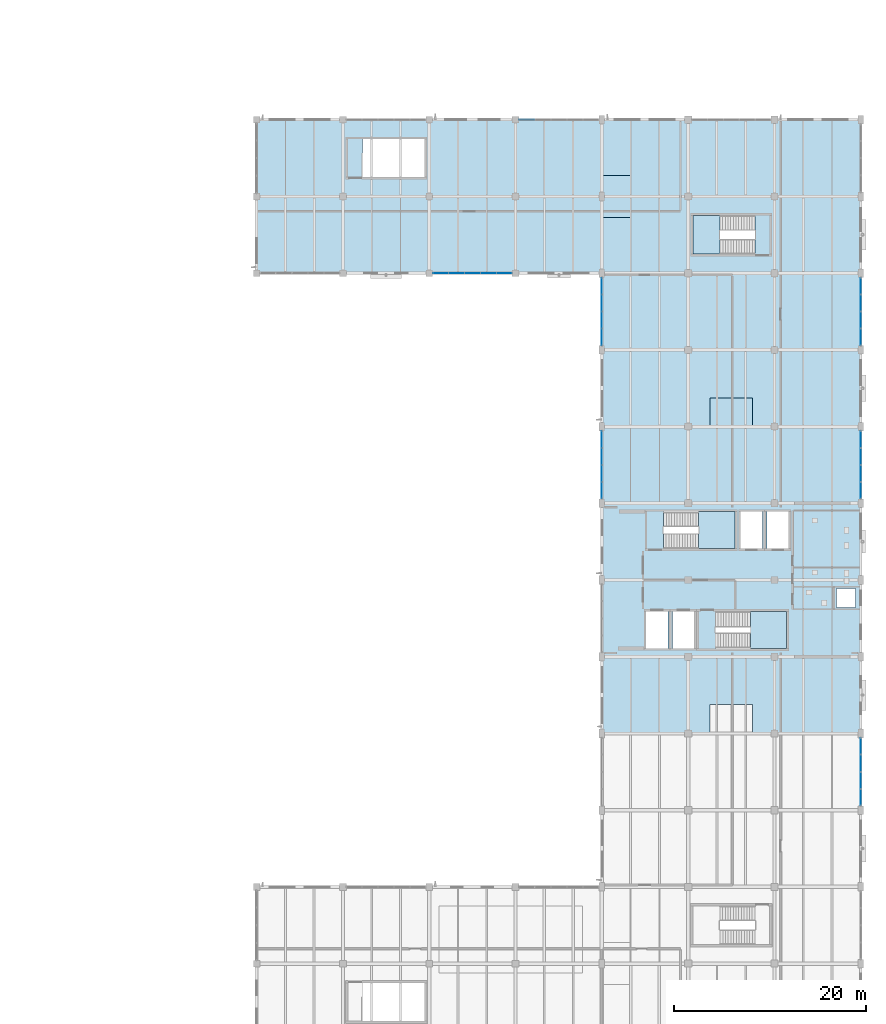
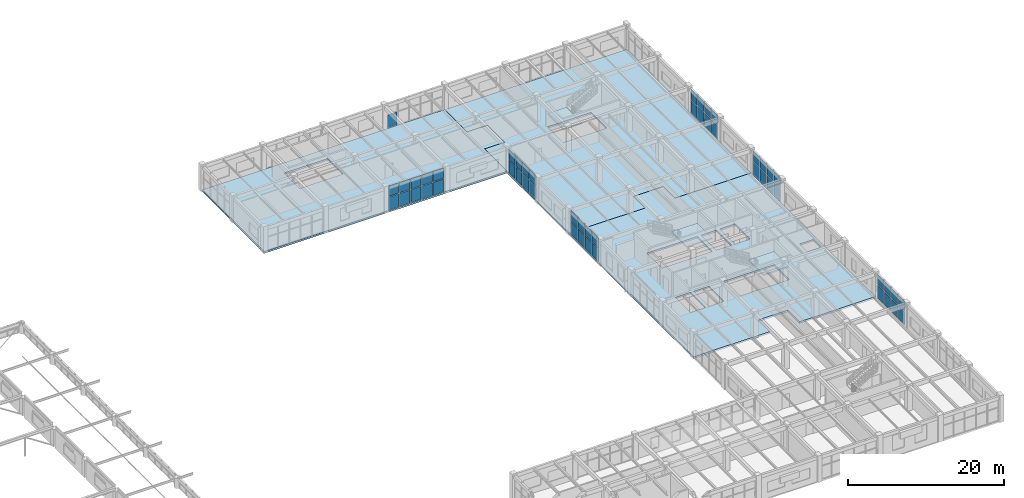
# One storey, part 106 of 128: 51 plates, 6 slabs, 10 elements without a shape of their own.
"""IFC4 building model written with IfcOpenShell, lengths in metres."""

from ifc_helpers import new_model, si_unit, derived_unit, direction, frame, origin, origin_2d, place, context, subcontext, project, spatial, polyline, rectangle, outline, extrude, material, layer, layer_set, type_object, element, aggregate, save


model = new_model("IFC4")

# Units and contexts
model_context = context("Model", 3, precision=1e-05, world=origin(), true_north=direction((0.0, 1.0)))
body_context = subcontext(model_context, "Body", "Model", "MODEL_VIEW")
ifc_project = project(units=[si_unit("LENGTHUNIT", "METRE"), si_unit("AREAUNIT", "SQUARE_METRE"), si_unit("VOLUMEUNIT", "CUBIC_METRE"), si_unit("PLANEANGLEUNIT", "RADIAN"), si_unit("MASSUNIT", "GRAM", prefix="KILO"), derived_unit("THERMALTRANSMITTANCEUNIT", [(si_unit("MASSUNIT", "GRAM", prefix="KILO"), 1), (si_unit("TIMEUNIT", "SECOND"), -3), (si_unit("THERMODYNAMICTEMPERATUREUNIT", "KELVIN"), -1)])], contexts=[model_context])

# Site, building, storey
site_placement = place(None, origin())
site = spatial("IfcSite", under=ifc_project, at=site_placement, CompositionType="ELEMENT")
building_placement = place(site_placement, origin())
building = spatial("IfcBuilding", under=site, at=building_placement, Name="Zhenchuan Archway Interchange", CompositionType="ELEMENT")
storey_placement = place(building_placement, frame((0.0, 0.0, 14.39990234375)))
storey = spatial("IfcBuildingStorey", under=building, at=storey_placement, Name="L03", CompositionType="ELEMENT", Elevation=14.39990234375)

# Curtain wall, plates
ifc_material_1 = material(Name="Anodised Aluminium", Category="aluminium")
curtain_wall_type_1 = type_object("IfcCurtainWallType", Name="CW_UNIT_1", PredefinedType="NOTDEFINED", material=ifc_material_1)
curtain_wall_1_placement = place(storey_placement, origin())
curtain_wall_1 = element("IfcCurtainWall", 1, at=curtain_wall_1_placement, inside=storey, type_object=curtain_wall_type_1, Name="Unitised curtain wall CW:L03:172", PredefinedType="NOTDEFINED")
ifc_material_2 = material(Name="Double Low-E Insulated Glazing", Category="glass")
ifc_layer_1 = layer(ifc_material_2, 0.028076171875)
ifc_layer_set_1 = layer_set([ifc_layer_1], Name="Double Low-E Insulated Glazing")
plate_type_1 = type_object("IfcPlateType", Name="CW_GLZ_1", PredefinedType="CURTAIN_PANEL", material=ifc_layer_set_1)
plate_1_placement = place(storey_placement, frame((133.835693359375, 88.0, 0.080078125), z_axis=(0.0, 0.0, 1.0), x_axis=(-1.0, 0.0, 0.0)))
plate_1 = element("IfcPlate", 2, at=plate_1_placement, type_object=plate_type_1, Name="CW:L03:172 lower glazing panel 0", PredefinedType="CURTAIN_PANEL", context=body_context, shape_type="SweptSolid", body=[
    extrude(rectangle(XDim=1.5126953125, YDim=0.028076171875, at=origin_2d()), origin(), (0.0, 0.0, 1.0), 2.01611328125),
])
plate_2_placement = place(storey_placement, frame((132.1728515625, 88.0, 0.080078125), z_axis=(0.0, 0.0, 1.0), x_axis=(-1.0, 0.0, 0.0)))
plate_2 = element("IfcPlate", 3, at=plate_2_placement, type_object=plate_type_1, Name="CW:L03:172 lower glazing panel 1", PredefinedType="CURTAIN_PANEL", context=body_context, shape_type="SweptSolid", body=[
    extrude(rectangle(XDim=1.53271484375, YDim=0.028076171875, at=origin_2d()), origin(), (0.0, 0.0, 1.0), 2.01611328125),
])
plate_3_placement = place(storey_placement, frame((130.5, 88.0, 0.080078125), z_axis=(0.0, 0.0, 1.0), x_axis=(-1.0, 0.0, 0.0)))
plate_3 = element("IfcPlate", 4, at=plate_3_placement, type_object=plate_type_1, Name="CW:L03:172 lower glazing panel 2", PredefinedType="CURTAIN_PANEL", context=body_context, shape_type="SweptSolid", body=[
    extrude(rectangle(XDim=1.53271484375, YDim=0.028076171875, at=origin_2d()), origin(), (0.0, 0.0, 1.0), 2.01611328125),
])
plate_4_placement = place(storey_placement, frame((128.8271484375, 88.0, 0.080078125), z_axis=(0.0, 0.0, 1.0), x_axis=(-1.0, 0.0, 0.0)))
plate_4 = element("IfcPlate", 5, at=plate_4_placement, type_object=plate_type_1, Name="CW:L03:172 lower glazing panel 3", PredefinedType="CURTAIN_PANEL", context=body_context, shape_type="SweptSolid", body=[
    extrude(rectangle(XDim=1.53271484375, YDim=0.028076171875, at=origin_2d()), origin(), (0.0, 0.0, 1.0), 2.01611328125),
])
plate_5_placement = place(storey_placement, frame((127.164306640625, 88.0, 0.080078125), z_axis=(0.0, 0.0, 1.0), x_axis=(-1.0, 0.0, 0.0)))
plate_5 = element("IfcPlate", 6, at=plate_5_placement, type_object=plate_type_1, Name="CW:L03:172 lower glazing panel 4", PredefinedType="CURTAIN_PANEL", context=body_context, shape_type="SweptSolid", body=[
    extrude(rectangle(XDim=1.5126953125, YDim=0.028076171875, at=origin_2d()), origin(), (0.0, 0.0, 1.0), 2.01611328125),
])

# Curtain wall, plate
curtain_wall_2_placement = place(storey_placement, origin())
curtain_wall_2 = element("IfcCurtainWall", 7, at=curtain_wall_2_placement, inside=storey, type_object=curtain_wall_type_1, Name="Unitised curtain wall CW:L03:176", PredefinedType="NOTDEFINED")
plate_6_placement = place(storey_placement, frame((136.16943359375, 104.0, 0.080078125), z_axis=(0.0, 0.0, 1.0), x_axis=(1.0, 0.0, 0.0)))
plate_6 = element("IfcPlate", 8, at=plate_6_placement, type_object=plate_type_1, Name="CW:L03:176 lower glazing panel 0", PredefinedType="CURTAIN_PANEL", context=body_context, shape_type="SweptSolid", body=[
    extrude(rectangle(XDim=1.522705078125, YDim=0.028076171875, at=origin_2d()), origin(), (0.0, 0.0, 1.0), 2.01611328125),
])
aggregate(curtain_wall_2, [plate_6])

# Plate
ifc_layer_2 = layer(ifc_material_2, 0.02587890625)
ifc_layer_set_2 = layer_set([ifc_layer_2], Name="Double Low-E Insulated Glazing")
plate_type_2 = type_object("IfcPlateType", Name="CW_GLZ_2", PredefinedType="CURTAIN_PANEL", material=ifc_layer_set_2)
plate_7_placement = place(storey_placement, frame((133.835693359375, 88.0, 2.216064453125), z_axis=(0.0, 0.0, 1.0), x_axis=(-1.0, 0.0, 0.0)))
plate_7 = element("IfcPlate", 9, at=plate_7_placement, type_object=plate_type_2, Name="CW:L03:172 upper glazing panel 0", PredefinedType="CURTAIN_PANEL", context=body_context, shape_type="SweptSolid", body=[
    extrude(rectangle(XDim=1.5126953125, YDim=0.02587890625, at=origin_2d()), origin(), (0.0, 0.0, 1.0), 1.6240234375),
])

plate_8_placement = place(storey_placement, frame((132.1728515625, 88.0, 2.216064453125), z_axis=(0.0, 0.0, 1.0), x_axis=(-1.0, 0.0, 0.0)))
plate_8 = element("IfcPlate", 10, at=plate_8_placement, type_object=plate_type_2, Name="CW:L03:172 upper glazing panel 1", PredefinedType="CURTAIN_PANEL", context=body_context, shape_type="SweptSolid", body=[
    extrude(rectangle(XDim=1.53271484375, YDim=0.02587890625, at=origin_2d()), origin(), (0.0, 0.0, 1.0), 1.6240234375),
])

plate_9_placement = place(storey_placement, frame((130.5, 88.0, 2.216064453125), z_axis=(0.0, 0.0, 1.0), x_axis=(-1.0, 0.0, 0.0)))
plate_9 = element("IfcPlate", 11, at=plate_9_placement, type_object=plate_type_2, Name="CW:L03:172 upper glazing panel 2", PredefinedType="CURTAIN_PANEL", context=body_context, shape_type="SweptSolid", body=[
    extrude(rectangle(XDim=1.53271484375, YDim=0.02587890625, at=origin_2d()), origin(), (0.0, 0.0, 1.0), 1.6240234375),
])

plate_10_placement = place(storey_placement, frame((128.8271484375, 88.0, 2.216064453125), z_axis=(0.0, 0.0, 1.0), x_axis=(-1.0, 0.0, 0.0)))
plate_10 = element("IfcPlate", 12, at=plate_10_placement, type_object=plate_type_2, Name="CW:L03:172 upper glazing panel 3", PredefinedType="CURTAIN_PANEL", context=body_context, shape_type="SweptSolid", body=[
    extrude(rectangle(XDim=1.53271484375, YDim=0.02587890625, at=origin_2d()), origin(), (0.0, 0.0, 1.0), 1.6240234375),
])

plate_11_placement = place(storey_placement, frame((127.164306640625, 88.0, 2.216064453125), z_axis=(0.0, 0.0, 1.0), x_axis=(-1.0, 0.0, 0.0)))
plate_11 = element("IfcPlate", 13, at=plate_11_placement, type_object=plate_type_2, Name="CW:L03:172 upper glazing panel 4", PredefinedType="CURTAIN_PANEL", context=body_context, shape_type="SweptSolid", body=[
    extrude(rectangle(XDim=1.5126953125, YDim=0.02587890625, at=origin_2d()), origin(), (0.0, 0.0, 1.0), 1.6240234375),
])

aggregate(curtain_wall_1, [plate_1, plate_7, plate_2, plate_8, plate_3, plate_9, plate_4, plate_10, plate_5, plate_11])

# Curtain wall, plates
curtain_wall_type_2 = type_object("IfcCurtainWallType", Name="CW_UNIT_3", PredefinedType="NOTDEFINED", material=ifc_material_1)
curtain_wall_3_placement = place(storey_placement, origin())
curtain_wall_3 = element("IfcCurtainWall", 14, at=curtain_wall_3_placement, inside=storey, type_object=curtain_wall_type_2, Name="Unitised curtain wall CW:L03:170", PredefinedType="NOTDEFINED")
ifc_layer_3 = layer(ifc_material_2, 0.030029296875)
ifc_layer_set_3 = layer_set([ifc_layer_3], Name="Double Low-E Insulated Glazing")
plate_type_3 = type_object("IfcPlateType", Name="CW_GLZ_3", PredefinedType="CURTAIN_PANEL", material=ifc_layer_set_3)
plate_12_placement = place(storey_placement, frame((144.0, 65.323486328125, 0.080078125), z_axis=(0.0, 0.0, 1.0), x_axis=(0.0, 1.0, 0.0)))
plate_12 = element("IfcPlate", 15, at=plate_12_placement, type_object=plate_type_3, Name="CW:L03:170 lower glazing panel 0", PredefinedType="CURTAIN_PANEL", context=body_context, shape_type="SweptSolid", body=[
    extrude(rectangle(XDim=1.631103515625, YDim=0.028076171875, at=origin_2d()), origin(), (0.0, 0.0, 1.0), 2.01611328125),
])
plate_13_placement = place(storey_placement, frame((144.0, 67.1044921875, 0.080078125), z_axis=(0.0, 0.0, 1.0), x_axis=(0.0, 1.0, 0.0)))
plate_13 = element("IfcPlate", 16, at=plate_13_placement, type_object=plate_type_3, Name="CW:L03:170 lower glazing panel 1", PredefinedType="CURTAIN_PANEL", context=body_context, shape_type="SweptSolid", body=[
    extrude(rectangle(XDim=1.65087890625, YDim=0.028076171875, at=origin_2d()), origin(), (0.0, 0.0, 1.0), 2.01611328125),
])
plate_14_placement = place(storey_placement, frame((144.0, 68.8955078125, 0.080078125), z_axis=(0.0, 0.0, 1.0), x_axis=(0.0, 1.0, 0.0)))
plate_14 = element("IfcPlate", 17, at=plate_14_placement, type_object=plate_type_3, Name="CW:L03:170 lower glazing panel 2", PredefinedType="CURTAIN_PANEL", context=body_context, shape_type="SweptSolid", body=[
    extrude(rectangle(XDim=1.65087890625, YDim=0.028076171875, at=origin_2d()), origin(), (0.0, 0.0, 1.0), 2.01611328125),
])
plate_15_placement = place(storey_placement, frame((144.0, 70.676513671875, 0.080078125), z_axis=(0.0, 0.0, 1.0), x_axis=(0.0, 1.0, 0.0)))
plate_15 = element("IfcPlate", 18, at=plate_15_placement, type_object=plate_type_3, Name="CW:L03:170 lower glazing panel 3", PredefinedType="CURTAIN_PANEL", context=body_context, shape_type="SweptSolid", body=[
    extrude(rectangle(XDim=1.631103515625, YDim=0.028076171875, at=origin_2d()), origin(), (0.0, 0.0, 1.0), 2.01611328125),
])

curtain_wall_type_3 = type_object("IfcCurtainWallType", Name="CW_UNIT_4", PredefinedType="NOTDEFINED", material=ifc_material_1)
curtain_wall_4_placement = place(storey_placement, origin())
curtain_wall_4 = element("IfcCurtainWall", 19, at=curtain_wall_4_placement, inside=storey, type_object=curtain_wall_type_3, Name="Unitised curtain wall CW:L03:171", PredefinedType="NOTDEFINED")
plate_16_placement = place(storey_placement, frame((144.0, 81.323486328125, 0.080078125), z_axis=(0.0, 0.0, 1.0), x_axis=(0.0, 1.0, 0.0)))
plate_16 = element("IfcPlate", 20, at=plate_16_placement, type_object=plate_type_3, Name="CW:L03:171 lower glazing panel 0", PredefinedType="CURTAIN_PANEL", context=body_context, shape_type="SweptSolid", body=[
    extrude(rectangle(XDim=1.631103515625, YDim=0.028076171875, at=origin_2d()), origin(), (0.0, 0.0, 1.0), 2.01611328125),
])
plate_17_placement = place(storey_placement, frame((144.0, 83.1044921875, 0.080078125), z_axis=(0.0, 0.0, 1.0), x_axis=(0.0, 1.0, 0.0)))
plate_17 = element("IfcPlate", 21, at=plate_17_placement, type_object=plate_type_3, Name="CW:L03:171 lower glazing panel 1", PredefinedType="CURTAIN_PANEL", context=body_context, shape_type="SweptSolid", body=[
    extrude(rectangle(XDim=1.65087890625, YDim=0.028076171875, at=origin_2d()), origin(), (0.0, 0.0, 1.0), 2.01611328125),
])
plate_18_placement = place(storey_placement, frame((144.0, 84.8955078125, 0.080078125), z_axis=(0.0, 0.0, 1.0), x_axis=(0.0, 1.0, 0.0)))
plate_18 = element("IfcPlate", 22, at=plate_18_placement, type_object=plate_type_3, Name="CW:L03:171 lower glazing panel 2", PredefinedType="CURTAIN_PANEL", context=body_context, shape_type="SweptSolid", body=[
    extrude(rectangle(XDim=1.65087890625, YDim=0.028076171875, at=origin_2d()), origin(), (0.0, 0.0, 1.0), 2.01611328125),
])
plate_19_placement = place(storey_placement, frame((144.0, 86.676513671875, 0.080078125), z_axis=(0.0, 0.0, 1.0), x_axis=(0.0, 1.0, 0.0)))
plate_19 = element("IfcPlate", 23, at=plate_19_placement, type_object=plate_type_3, Name="CW:L03:171 lower glazing panel 3", PredefinedType="CURTAIN_PANEL", context=body_context, shape_type="SweptSolid", body=[
    extrude(rectangle(XDim=1.631103515625, YDim=0.028076171875, at=origin_2d()), origin(), (0.0, 0.0, 1.0), 2.01611328125),
])

curtain_wall_5_placement = place(storey_placement, origin())
curtain_wall_5 = element("IfcCurtainWall", 24, at=curtain_wall_5_placement, inside=storey, type_object=curtain_wall_type_3, Name="Unitised curtain wall CW:L03:179", PredefinedType="NOTDEFINED")
plate_20_placement = place(storey_placement, frame((171.0, 86.676513671875, 0.080078125), z_axis=(0.0, 0.0, 1.0), x_axis=(0.0, -1.0, 0.0)))
plate_20 = element("IfcPlate", 25, at=plate_20_placement, type_object=plate_type_3, Name="CW:L03:179 lower glazing panel 0", PredefinedType="CURTAIN_PANEL", context=body_context, shape_type="SweptSolid", body=[
    extrude(rectangle(XDim=1.631103515625, YDim=0.028076171875, at=origin_2d()), origin(), (0.0, 0.0, 1.0), 2.010498046875),
])
plate_21_placement = place(storey_placement, frame((171.0, 84.8955078125, 0.080078125), z_axis=(0.0, 0.0, 1.0), x_axis=(0.0, -1.0, 0.0)))
plate_21 = element("IfcPlate", 26, at=plate_21_placement, type_object=plate_type_3, Name="CW:L03:179 lower glazing panel 1", PredefinedType="CURTAIN_PANEL", context=body_context, shape_type="SweptSolid", body=[
    extrude(rectangle(XDim=1.65087890625, YDim=0.028076171875, at=origin_2d()), origin(), (0.0, 0.0, 1.0), 2.010498046875),
])
plate_22_placement = place(storey_placement, frame((171.0, 83.1044921875, 0.080078125), z_axis=(0.0, 0.0, 1.0), x_axis=(0.0, -1.0, 0.0)))
plate_22 = element("IfcPlate", 27, at=plate_22_placement, type_object=plate_type_3, Name="CW:L03:179 lower glazing panel 2", PredefinedType="CURTAIN_PANEL", context=body_context, shape_type="SweptSolid", body=[
    extrude(rectangle(XDim=1.65087890625, YDim=0.028076171875, at=origin_2d()), origin(), (0.0, 0.0, 1.0), 2.010498046875),
])
plate_23_placement = place(storey_placement, frame((171.0, 81.323486328125, 0.080078125), z_axis=(0.0, 0.0, 1.0), x_axis=(0.0, -1.0, 0.0)))
plate_23 = element("IfcPlate", 28, at=plate_23_placement, type_object=plate_type_3, Name="CW:L03:179 lower glazing panel 3", PredefinedType="CURTAIN_PANEL", context=body_context, shape_type="SweptSolid", body=[
    extrude(rectangle(XDim=1.631103515625, YDim=0.028076171875, at=origin_2d()), origin(), (0.0, 0.0, 1.0), 2.010498046875),
])

curtain_wall_6_placement = place(storey_placement, origin())
curtain_wall_6 = element("IfcCurtainWall", 29, at=curtain_wall_6_placement, inside=storey, type_object=curtain_wall_type_1, Name="Unitised curtain wall CW:L03:180", PredefinedType="NOTDEFINED")
plate_24_placement = place(storey_placement, frame((171.0, 70.676513671875, 0.080078125), z_axis=(0.0, 0.0, 1.0), x_axis=(0.0, -1.0, 0.0)))
plate_24 = element("IfcPlate", 30, at=plate_24_placement, type_object=plate_type_3, Name="CW:L03:180 lower glazing panel 0", PredefinedType="CURTAIN_PANEL", context=body_context, shape_type="SweptSolid", body=[
    extrude(rectangle(XDim=1.631103515625, YDim=0.028076171875, at=origin_2d()), origin(), (0.0, 0.0, 1.0), 2.010498046875),
])
plate_25_placement = place(storey_placement, frame((171.0, 68.8955078125, 0.080078125), z_axis=(0.0, 0.0, 1.0), x_axis=(0.0, -1.0, 0.0)))
plate_25 = element("IfcPlate", 31, at=plate_25_placement, type_object=plate_type_3, Name="CW:L03:180 lower glazing panel 1", PredefinedType="CURTAIN_PANEL", context=body_context, shape_type="SweptSolid", body=[
    extrude(rectangle(XDim=1.65087890625, YDim=0.028076171875, at=origin_2d()), origin(), (0.0, 0.0, 1.0), 2.010498046875),
])
plate_26_placement = place(storey_placement, frame((171.0, 67.1044921875, 0.080078125), z_axis=(0.0, 0.0, 1.0), x_axis=(0.0, -1.0, 0.0)))
plate_26 = element("IfcPlate", 32, at=plate_26_placement, type_object=plate_type_3, Name="CW:L03:180 lower glazing panel 2", PredefinedType="CURTAIN_PANEL", context=body_context, shape_type="SweptSolid", body=[
    extrude(rectangle(XDim=1.65087890625, YDim=0.028076171875, at=origin_2d()), origin(), (0.0, 0.0, 1.0), 2.010498046875),
])
plate_27_placement = place(storey_placement, frame((171.0, 65.323486328125, 0.080078125), z_axis=(0.0, 0.0, 1.0), x_axis=(0.0, -1.0, 0.0)))
plate_27 = element("IfcPlate", 33, at=plate_27_placement, type_object=plate_type_3, Name="CW:L03:180 lower glazing panel 3", PredefinedType="CURTAIN_PANEL", context=body_context, shape_type="SweptSolid", body=[
    extrude(rectangle(XDim=1.631103515625, YDim=0.028076171875, at=origin_2d()), origin(), (0.0, 0.0, 1.0), 2.010498046875),
])

curtain_wall_type_4 = type_object("IfcCurtainWallType", Name="CW_UNIT_2", PredefinedType="NOTDEFINED", material=ifc_material_1)
curtain_wall_7_placement = place(storey_placement, origin())
curtain_wall_7 = element("IfcCurtainWall", 34, at=curtain_wall_7_placement, inside=storey, type_object=curtain_wall_type_4, Name="Unitised curtain wall CW:L03:181", PredefinedType="NOTDEFINED")
plate_28_placement = place(storey_placement, frame((171.0, 38.676513671875, 0.080078125), z_axis=(0.0, 0.0, 1.0), x_axis=(0.0, -1.0, 0.0)))
plate_28 = element("IfcPlate", 35, at=plate_28_placement, type_object=plate_type_3, Name="CW:L03:181 lower glazing panel 0", PredefinedType="CURTAIN_PANEL", context=body_context, shape_type="SweptSolid", body=[
    extrude(rectangle(XDim=1.631103515625, YDim=0.028076171875, at=origin_2d()), origin(), (0.0, 0.0, 1.0), 2.010498046875),
])
plate_29_placement = place(storey_placement, frame((171.0, 36.8955078125, 0.080078125), z_axis=(0.0, 0.0, 1.0), x_axis=(0.0, -1.0, 0.0)))
plate_29 = element("IfcPlate", 36, at=plate_29_placement, type_object=plate_type_3, Name="CW:L03:181 lower glazing panel 1", PredefinedType="CURTAIN_PANEL", context=body_context, shape_type="SweptSolid", body=[
    extrude(rectangle(XDim=1.65087890625, YDim=0.028076171875, at=origin_2d()), origin(), (0.0, 0.0, 1.0), 2.010498046875),
])
plate_30_placement = place(storey_placement, frame((171.0, 35.1044921875, 0.080078125), z_axis=(0.0, 0.0, 1.0), x_axis=(0.0, -1.0, 0.0)))
plate_30 = element("IfcPlate", 37, at=plate_30_placement, type_object=plate_type_3, Name="CW:L03:181 lower glazing panel 2", PredefinedType="CURTAIN_PANEL", context=body_context, shape_type="SweptSolid", body=[
    extrude(rectangle(XDim=1.65087890625, YDim=0.028076171875, at=origin_2d()), origin(), (0.0, 0.0, 1.0), 2.010498046875),
])
plate_31_placement = place(storey_placement, frame((171.0, 33.323486328125, 0.080078125), z_axis=(0.0, 0.0, 1.0), x_axis=(0.0, -1.0, 0.0)))
plate_31 = element("IfcPlate", 38, at=plate_31_placement, type_object=plate_type_3, Name="CW:L03:181 lower glazing panel 3", PredefinedType="CURTAIN_PANEL", context=body_context, shape_type="SweptSolid", body=[
    extrude(rectangle(XDim=1.631103515625, YDim=0.028076171875, at=origin_2d()), origin(), (0.0, 0.0, 1.0), 2.010498046875),
])

# Plate
ifc_layer_4 = layer(ifc_material_2, 0.02392578125)
ifc_layer_set_4 = layer_set([ifc_layer_4], Name="Double Low-E Insulated Glazing")
plate_type_4 = type_object("IfcPlateType", Name="CW_GLZ_4", PredefinedType="CURTAIN_PANEL", material=ifc_layer_set_4)
plate_32_placement = place(storey_placement, frame((144.0, 65.323486328125, 2.216064453125), z_axis=(0.0, 0.0, 1.0), x_axis=(0.0, 1.0, 0.0)))
plate_32 = element("IfcPlate", 39, at=plate_32_placement, type_object=plate_type_4, Name="CW:L03:170 upper glazing panel 0", PredefinedType="CURTAIN_PANEL", context=body_context, shape_type="SweptSolid", body=[
    extrude(rectangle(XDim=1.631103515625, YDim=0.02587890625, at=origin_2d()), origin(), (0.0, 0.0, 1.0), 1.6240234375),
])

plate_33_placement = place(storey_placement, frame((144.0, 67.1044921875, 2.216064453125), z_axis=(0.0, 0.0, 1.0), x_axis=(0.0, 1.0, 0.0)))
plate_33 = element("IfcPlate", 40, at=plate_33_placement, type_object=plate_type_4, Name="CW:L03:170 upper glazing panel 1", PredefinedType="CURTAIN_PANEL", context=body_context, shape_type="SweptSolid", body=[
    extrude(rectangle(XDim=1.65087890625, YDim=0.02587890625, at=origin_2d()), origin(), (0.0, 0.0, 1.0), 1.6240234375),
])

plate_34_placement = place(storey_placement, frame((144.0, 68.8955078125, 2.216064453125), z_axis=(0.0, 0.0, 1.0), x_axis=(0.0, 1.0, 0.0)))
plate_34 = element("IfcPlate", 41, at=plate_34_placement, type_object=plate_type_4, Name="CW:L03:170 upper glazing panel 2", PredefinedType="CURTAIN_PANEL", context=body_context, shape_type="SweptSolid", body=[
    extrude(rectangle(XDim=1.65087890625, YDim=0.02587890625, at=origin_2d()), origin(), (0.0, 0.0, 1.0), 1.6240234375),
])

plate_35_placement = place(storey_placement, frame((144.0, 70.676513671875, 2.216064453125), z_axis=(0.0, 0.0, 1.0), x_axis=(0.0, 1.0, 0.0)))
plate_35 = element("IfcPlate", 42, at=plate_35_placement, type_object=plate_type_4, Name="CW:L03:170 upper glazing panel 3", PredefinedType="CURTAIN_PANEL", context=body_context, shape_type="SweptSolid", body=[
    extrude(rectangle(XDim=1.631103515625, YDim=0.02587890625, at=origin_2d()), origin(), (0.0, 0.0, 1.0), 1.6240234375),
])

aggregate(curtain_wall_3, [plate_12, plate_32, plate_13, plate_33, plate_14, plate_34, plate_15, plate_35])

plate_36_placement = place(storey_placement, frame((144.0, 81.323486328125, 2.216064453125), z_axis=(0.0, 0.0, 1.0), x_axis=(0.0, 1.0, 0.0)))
plate_36 = element("IfcPlate", 43, at=plate_36_placement, type_object=plate_type_4, Name="CW:L03:171 upper glazing panel 0", PredefinedType="CURTAIN_PANEL", context=body_context, shape_type="SweptSolid", body=[
    extrude(rectangle(XDim=1.631103515625, YDim=0.02587890625, at=origin_2d()), origin(), (0.0, 0.0, 1.0), 1.6240234375),
])

plate_37_placement = place(storey_placement, frame((144.0, 83.1044921875, 2.216064453125), z_axis=(0.0, 0.0, 1.0), x_axis=(0.0, 1.0, 0.0)))
plate_37 = element("IfcPlate", 44, at=plate_37_placement, type_object=plate_type_4, Name="CW:L03:171 upper glazing panel 1", PredefinedType="CURTAIN_PANEL", context=body_context, shape_type="SweptSolid", body=[
    extrude(rectangle(XDim=1.65087890625, YDim=0.02587890625, at=origin_2d()), origin(), (0.0, 0.0, 1.0), 1.6240234375),
])

plate_38_placement = place(storey_placement, frame((144.0, 84.8955078125, 2.216064453125), z_axis=(0.0, 0.0, 1.0), x_axis=(0.0, 1.0, 0.0)))
plate_38 = element("IfcPlate", 45, at=plate_38_placement, type_object=plate_type_4, Name="CW:L03:171 upper glazing panel 2", PredefinedType="CURTAIN_PANEL", context=body_context, shape_type="SweptSolid", body=[
    extrude(rectangle(XDim=1.65087890625, YDim=0.02587890625, at=origin_2d()), origin(), (0.0, 0.0, 1.0), 1.6240234375),
])

plate_39_placement = place(storey_placement, frame((144.0, 86.676513671875, 2.216064453125), z_axis=(0.0, 0.0, 1.0), x_axis=(0.0, 1.0, 0.0)))
plate_39 = element("IfcPlate", 46, at=plate_39_placement, type_object=plate_type_4, Name="CW:L03:171 upper glazing panel 3", PredefinedType="CURTAIN_PANEL", context=body_context, shape_type="SweptSolid", body=[
    extrude(rectangle(XDim=1.631103515625, YDim=0.02587890625, at=origin_2d()), origin(), (0.0, 0.0, 1.0), 1.6240234375),
])

aggregate(curtain_wall_4, [plate_16, plate_36, plate_17, plate_37, plate_18, plate_38, plate_19, plate_39])

plate_40_placement = place(storey_placement, frame((171.0, 86.676513671875, 2.21044921875), z_axis=(0.0, 0.0, 1.0), x_axis=(0.0, -1.0, 0.0)))
plate_40 = element("IfcPlate", 47, at=plate_40_placement, type_object=plate_type_4, Name="CW:L03:179 upper glazing panel 0", PredefinedType="CURTAIN_PANEL", context=body_context, shape_type="SweptSolid", body=[
    extrude(rectangle(XDim=1.631103515625, YDim=0.02587890625, at=origin_2d()), origin(), (0.0, 0.0, 1.0), 1.619384765625),
])

plate_41_placement = place(storey_placement, frame((171.0, 84.8955078125, 2.21044921875), z_axis=(0.0, 0.0, 1.0), x_axis=(0.0, -1.0, 0.0)))
plate_41 = element("IfcPlate", 48, at=plate_41_placement, type_object=plate_type_4, Name="CW:L03:179 upper glazing panel 1", PredefinedType="CURTAIN_PANEL", context=body_context, shape_type="SweptSolid", body=[
    extrude(rectangle(XDim=1.65087890625, YDim=0.02587890625, at=origin_2d()), origin(), (0.0, 0.0, 1.0), 1.619384765625),
])

plate_42_placement = place(storey_placement, frame((171.0, 83.1044921875, 2.21044921875), z_axis=(0.0, 0.0, 1.0), x_axis=(0.0, -1.0, 0.0)))
plate_42 = element("IfcPlate", 49, at=plate_42_placement, type_object=plate_type_4, Name="CW:L03:179 upper glazing panel 2", PredefinedType="CURTAIN_PANEL", context=body_context, shape_type="SweptSolid", body=[
    extrude(rectangle(XDim=1.65087890625, YDim=0.02587890625, at=origin_2d()), origin(), (0.0, 0.0, 1.0), 1.619384765625),
])

plate_43_placement = place(storey_placement, frame((171.0, 81.323486328125, 2.21044921875), z_axis=(0.0, 0.0, 1.0), x_axis=(0.0, -1.0, 0.0)))
plate_43 = element("IfcPlate", 50, at=plate_43_placement, type_object=plate_type_4, Name="CW:L03:179 upper glazing panel 3", PredefinedType="CURTAIN_PANEL", context=body_context, shape_type="SweptSolid", body=[
    extrude(rectangle(XDim=1.631103515625, YDim=0.02587890625, at=origin_2d()), origin(), (0.0, 0.0, 1.0), 1.619384765625),
])

aggregate(curtain_wall_5, [plate_20, plate_40, plate_21, plate_41, plate_22, plate_42, plate_23, plate_43])

plate_44_placement = place(storey_placement, frame((171.0, 70.676513671875, 2.21044921875), z_axis=(0.0, 0.0, 1.0), x_axis=(0.0, -1.0, 0.0)))
plate_44 = element("IfcPlate", 51, at=plate_44_placement, type_object=plate_type_4, Name="CW:L03:180 upper glazing panel 0", PredefinedType="CURTAIN_PANEL", context=body_context, shape_type="SweptSolid", body=[
    extrude(rectangle(XDim=1.631103515625, YDim=0.02587890625, at=origin_2d()), origin(), (0.0, 0.0, 1.0), 1.619384765625),
])

plate_45_placement = place(storey_placement, frame((171.0, 68.8955078125, 2.21044921875), z_axis=(0.0, 0.0, 1.0), x_axis=(0.0, -1.0, 0.0)))
plate_45 = element("IfcPlate", 52, at=plate_45_placement, type_object=plate_type_4, Name="CW:L03:180 upper glazing panel 1", PredefinedType="CURTAIN_PANEL", context=body_context, shape_type="SweptSolid", body=[
    extrude(rectangle(XDim=1.65087890625, YDim=0.02587890625, at=origin_2d()), origin(), (0.0, 0.0, 1.0), 1.619384765625),
])

plate_46_placement = place(storey_placement, frame((171.0, 67.1044921875, 2.21044921875), z_axis=(0.0, 0.0, 1.0), x_axis=(0.0, -1.0, 0.0)))
plate_46 = element("IfcPlate", 53, at=plate_46_placement, type_object=plate_type_4, Name="CW:L03:180 upper glazing panel 2", PredefinedType="CURTAIN_PANEL", context=body_context, shape_type="SweptSolid", body=[
    extrude(rectangle(XDim=1.65087890625, YDim=0.02587890625, at=origin_2d()), origin(), (0.0, 0.0, 1.0), 1.619384765625),
])

plate_47_placement = place(storey_placement, frame((171.0, 65.323486328125, 2.21044921875), z_axis=(0.0, 0.0, 1.0), x_axis=(0.0, -1.0, 0.0)))
plate_47 = element("IfcPlate", 54, at=plate_47_placement, type_object=plate_type_4, Name="CW:L03:180 upper glazing panel 3", PredefinedType="CURTAIN_PANEL", context=body_context, shape_type="SweptSolid", body=[
    extrude(rectangle(XDim=1.631103515625, YDim=0.02587890625, at=origin_2d()), origin(), (0.0, 0.0, 1.0), 1.619384765625),
])

aggregate(curtain_wall_6, [plate_24, plate_44, plate_25, plate_45, plate_26, plate_46, plate_27, plate_47])

plate_48_placement = place(storey_placement, frame((171.0, 38.676513671875, 2.21044921875), z_axis=(0.0, 0.0, 1.0), x_axis=(0.0, -1.0, 0.0)))
plate_48 = element("IfcPlate", 55, at=plate_48_placement, type_object=plate_type_4, Name="CW:L03:181 upper glazing panel 0", PredefinedType="CURTAIN_PANEL", context=body_context, shape_type="SweptSolid", body=[
    extrude(rectangle(XDim=1.631103515625, YDim=0.02587890625, at=origin_2d()), origin(), (0.0, 0.0, 1.0), 1.619384765625),
])

plate_49_placement = place(storey_placement, frame((171.0, 36.8955078125, 2.21044921875), z_axis=(0.0, 0.0, 1.0), x_axis=(0.0, -1.0, 0.0)))
plate_49 = element("IfcPlate", 56, at=plate_49_placement, type_object=plate_type_4, Name="CW:L03:181 upper glazing panel 1", PredefinedType="CURTAIN_PANEL", context=body_context, shape_type="SweptSolid", body=[
    extrude(rectangle(XDim=1.65087890625, YDim=0.02587890625, at=origin_2d()), origin(), (0.0, 0.0, 1.0), 1.619384765625),
])

plate_50_placement = place(storey_placement, frame((171.0, 35.1044921875, 2.21044921875), z_axis=(0.0, 0.0, 1.0), x_axis=(0.0, -1.0, 0.0)))
plate_50 = element("IfcPlate", 57, at=plate_50_placement, type_object=plate_type_4, Name="CW:L03:181 upper glazing panel 2", PredefinedType="CURTAIN_PANEL", context=body_context, shape_type="SweptSolid", body=[
    extrude(rectangle(XDim=1.65087890625, YDim=0.02587890625, at=origin_2d()), origin(), (0.0, 0.0, 1.0), 1.619384765625),
])

plate_51_placement = place(storey_placement, frame((171.0, 33.323486328125, 2.21044921875), z_axis=(0.0, 0.0, 1.0), x_axis=(0.0, -1.0, 0.0)))
plate_51 = element("IfcPlate", 58, at=plate_51_placement, type_object=plate_type_4, Name="CW:L03:181 upper glazing panel 3", PredefinedType="CURTAIN_PANEL", context=body_context, shape_type="SweptSolid", body=[
    extrude(rectangle(XDim=1.631103515625, YDim=0.02587890625, at=origin_2d()), origin(), (0.0, 0.0, 1.0), 1.619384765625),
])

aggregate(curtain_wall_7, [plate_28, plate_48, plate_29, plate_49, plate_30, plate_50, plate_31, plate_51])

# Slabs
ifc_material_3 = material(Name="Concrete C35", Category="concrete")
ifc_layer_5 = layer(ifc_material_3, 0.280029296875)
ifc_layer_set_5 = layer_set([ifc_layer_5], Name="Concrete C35")
slab_type_1 = type_object("IfcSlabType", Name="SLB_FLR_280", PredefinedType="FLOOR", material=ifc_layer_set_5)
slab_1_placement = place(storey_placement, frame((0.0, 0.0, -0.27978515625)))
element("IfcSlab", 59, at=slab_1_placement, inside=storey, type_object=slab_type_1, Name="Structural slab L03 OPS-N", PredefinedType="FLOOR", context=body_context, shape_type="SweptSolid", body=[
    extrude(outline(polyline([(108.0, 88.0), (108.0, 104.0), (144.0, 104.0), (144.0, 98.197998046875), (146.998046875, 98.197998046875), (146.998046875, 93.802001953125), (144.0, 93.802001953125), (144.0, 88.0), (108.0, 88.0)]), holes=[polyline([(125.4951171875, 98.02490234375), (125.4951171875, 101.97509765625), (119.02490234375, 101.97509765625), (119.02490234375, 98.02490234375), (125.4951171875, 98.02490234375)])]), origin(), (0.0, 0.0, 1.0), 0.27978515625),
])
slab_2_placement = place(storey_placement, frame((0.0, 0.0, -0.27978515625)))
element("IfcSlab", 60, at=slab_2_placement, inside=storey, type_object=slab_type_1, Name="Structural slab L03 OPS-EM", PredefinedType="FLOOR", context=body_context, shape_type="SweptSolid", body=[
    extrude(outline(polyline([(159.699951171875, 40.0), (159.699951171875, 43.0), (155.300048828125, 43.0), (155.300048828125, 40.0), (144.0, 40.0), (144.0, 72.0), (155.302001953125, 72.0), (155.302001953125, 74.998046875), (159.697998046875, 74.998046875), (159.697998046875, 72.0), (171.0, 72.0), (171.0, 40.0), (159.699951171875, 40.0)]), holes=[polyline([(150.425048828125, 63.125), (150.425048828125, 59.27490234375), (157.875, 59.27490234375), (157.875, 63.125), (150.425048828125, 63.125)]), polyline([(163.27490234375, 52.72509765625), (155.824951171875, 52.72509765625), (155.824951171875, 48.875), (163.27490234375, 48.875), (163.27490234375, 52.72509765625)]), polyline([(160.72998046875, 59.27001953125), (160.72998046875, 63.1298828125), (158.469970703125, 63.1298828125), (158.469970703125, 59.27001953125), (160.72998046875, 59.27001953125)]), polyline([(161.219970703125, 59.27001953125), (163.47998046875, 59.27001953125), (163.47998046875, 63.1298828125), (161.219970703125, 63.1298828125), (161.219970703125, 59.27001953125)]), polyline([(148.6201171875, 52.72998046875), (148.6201171875, 48.8701171875), (150.8798828125, 48.8701171875), (150.8798828125, 52.72998046875), (148.6201171875, 52.72998046875)]), polyline([(153.6201171875, 52.72998046875), (151.360107421875, 52.72998046875), (151.360107421875, 48.8701171875), (153.6201171875, 48.8701171875), (153.6201171875, 52.72998046875)]), polyline([(170.449951171875, 53.14990234375), (170.449951171875, 55.10009765625), (168.449951171875, 55.10009765625), (168.449951171875, 53.14990234375), (170.449951171875, 53.14990234375)])]), origin(), (0.0, 0.0, 1.0), 0.27978515625),
])
slab_3_placement = place(storey_placement, frame((0.0, 0.0, -0.27978515625)))
element("IfcSlab", 61, at=slab_3_placement, inside=storey, type_object=slab_type_1, Name="Structural slab L03 OPS-EN", PredefinedType="FLOOR", context=body_context, shape_type="SweptSolid", body=[
    extrude(outline(polyline([(171.0, 72.0), (159.699951171875, 72.0), (159.699951171875, 75.0), (155.300048828125, 75.0), (155.300048828125, 72.0), (144.0, 72.0), (144.0, 93.800048828125), (147.0, 93.800048828125), (147.0, 98.199951171875), (144.0, 98.199951171875), (144.0, 104.0), (171.0, 104.0), (171.0, 72.0)]), holes=[polyline([(159.97509765625, 89.97509765625), (159.97509765625, 94.02490234375), (153.5048828125, 94.02490234375), (153.5048828125, 89.97509765625), (159.97509765625, 89.97509765625)])]), origin(), (0.0, 0.0, 1.0), 0.27978515625),
])

# Stair, slab
stair_type_1 = type_object("IfcStairType", Name="STR_HALF_1550", PredefinedType="HALF_TURN_STAIR", material=ifc_material_3)
stair_1_placement = place(storey_placement, origin())
stair_1 = element("IfcStair", 62, at=stair_1_placement, inside=storey, type_object=stair_type_1, Name="Stair ST-O1 (L03)", PredefinedType="HALF_TURN_STAIR")
ifc_layer_6 = layer(ifc_material_3, 0.199951171875)
ifc_layer_set_6 = layer_set([ifc_layer_6], Name="Concrete C35")
slab_type_2 = type_object("IfcSlabType", Name="SLB_LANDING_200", PredefinedType="LANDING", material=ifc_layer_set_6)
slab_4_placement = place(storey_placement, frame((0.0, 0.0, 1.900146484375)))
slab_4 = element("IfcSlab", 63, at=slab_4_placement, type_object=slab_type_2, Name="Stair ST-O1 half-landing (L03)", PredefinedType="LANDING", context=body_context, shape_type="SweptSolid", body=[
    extrude(outline(polyline([(154.0849609375, 59.27294921875), (157.876953125, 59.27294921875), (157.876953125, 63.126953125), (154.0849609375, 63.126953125), (154.0849609375, 59.27294921875)])), origin(), (0.0, 0.0, 1.0), 0.199951171875),
])
aggregate(stair_1, [slab_4])

stair_type_2 = type_object("IfcStairType", Name="STR_HALF_1600", PredefinedType="HALF_TURN_STAIR", material=ifc_material_3)
stair_2_placement = place(storey_placement, origin())
stair_2 = element("IfcStair", 64, at=stair_2_placement, inside=storey, type_object=stair_type_2, Name="Stair ST-O2 (L03)", PredefinedType="HALF_TURN_STAIR")
slab_5_placement = place(storey_placement, frame((0.0, 0.0, 1.900146484375)))
slab_5 = element("IfcSlab", 65, at=slab_5_placement, type_object=slab_type_2, Name="Stair ST-O2 half-landing (L03)", PredefinedType="LANDING", context=body_context, shape_type="SweptSolid", body=[
    extrude(outline(polyline([(159.485107421875, 48.873046875), (163.277099609375, 48.873046875), (163.277099609375, 52.72705078125), (159.485107421875, 52.72705078125), (159.485107421875, 48.873046875)])), origin(), (0.0, 0.0, 1.0), 0.199951171875),
])
aggregate(stair_2, [slab_5])

stair_3_placement = place(storey_placement, origin())
stair_3 = element("IfcStair", 66, at=stair_3_placement, inside=storey, type_object=stair_type_1, Name="Stair ST-O3 (L03)", PredefinedType="HALF_TURN_STAIR")
slab_6_placement = place(storey_placement, frame((0.0, 0.0, 1.900146484375)))
slab_6 = element("IfcSlab", 67, at=slab_6_placement, type_object=slab_type_2, Name="Stair ST-O3 half-landing (L03)", PredefinedType="LANDING", context=body_context, shape_type="SweptSolid", body=[
    extrude(outline(polyline([(153.5029296875, 89.972900390625), (156.31494140625, 89.972900390625), (156.31494140625, 94.027099609375), (153.5029296875, 94.027099609375), (153.5029296875, 89.972900390625)])), origin(), (0.0, 0.0, 1.0), 0.199951171875),
])
aggregate(stair_3, [slab_6])

save(model, "model.ifc")
